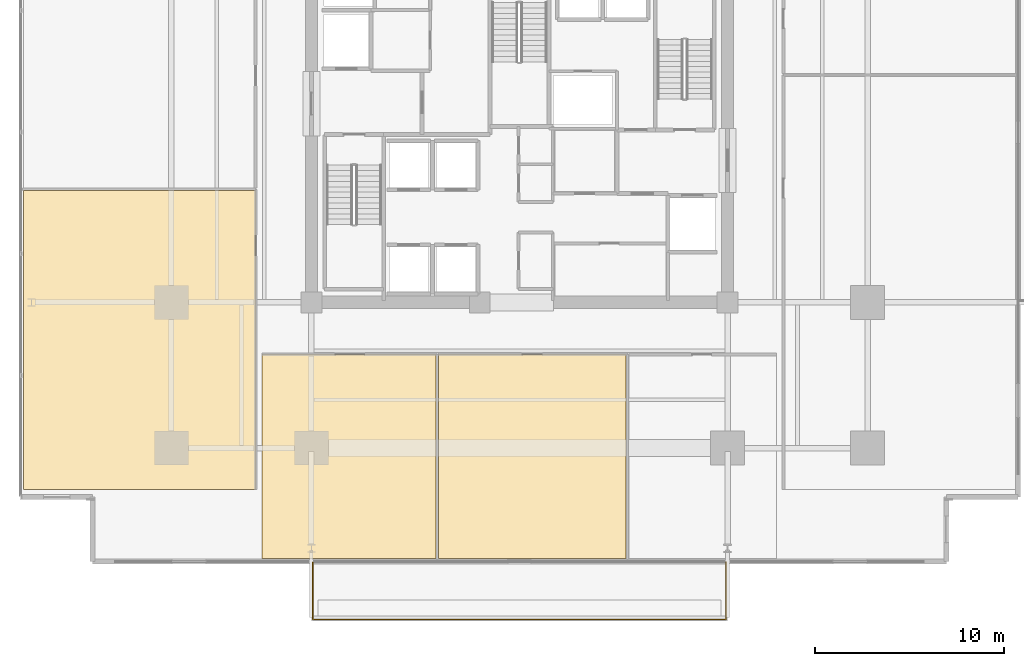
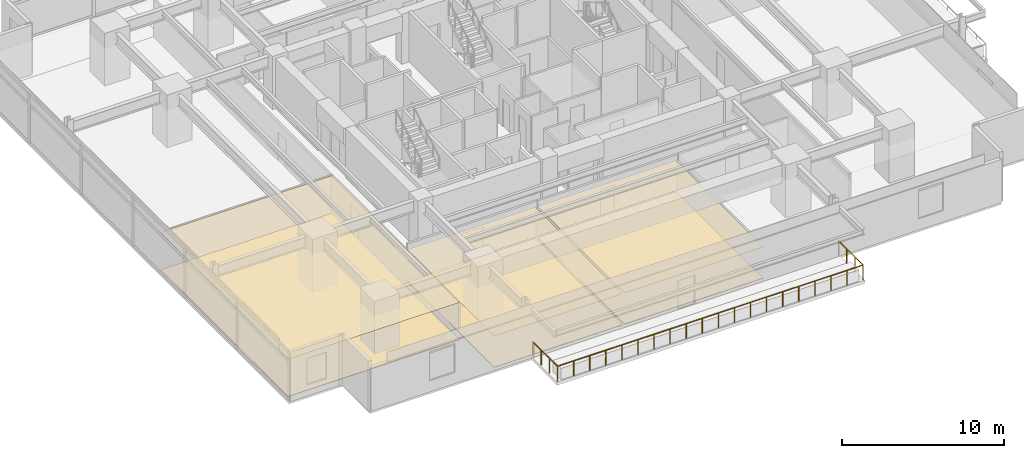
# One storey, part 19 of 23: 6 coverings, 1 railing.
"""IFC4 building model written with IfcOpenShell, lengths in metres."""

from ifc_helpers import new_model, si_unit, direction, frame, origin, origin_2d, place, context, subcontext, project, spatial, polyline, circle, outline, extrude, material, layer, layer_set, type_object, element, save


model = new_model("IFC4")

# Units and contexts
model_context = context("Model", 3, precision=1e-05, world=origin(), true_north=direction((0.0, 1.0)))
body_context = subcontext(model_context, "Body", "Model", "MODEL_VIEW")
ifc_project = project(units=[si_unit("LENGTHUNIT", "METRE"), si_unit("AREAUNIT", "SQUARE_METRE"), si_unit("VOLUMEUNIT", "CUBIC_METRE"), si_unit("PLANEANGLEUNIT", "RADIAN"), si_unit("MASSUNIT", "GRAM", prefix="KILO")], contexts=[model_context])

# Site, building, storey
site_placement = place(None, origin())
site = spatial("IfcSite", under=ifc_project, at=site_placement, CompositionType="ELEMENT")
building_placement = place(site_placement, origin())
building = spatial("IfcBuilding", under=site, at=building_placement, Name="Kovane Verandah Tower", CompositionType="ELEMENT")
storey_placement = place(building_placement, frame((0.0, 0.0, 91.60009765625)))
storey = spatial("IfcBuildingStorey", under=building, at=storey_placement, Name="L21", CompositionType="ELEMENT", Elevation=91.60009765625)

# Coverings
ifc_material_1 = material(Name="Perforated Acoustic Mineral-Fibre Ceiling Tile", Category="gypsum")
ifc_layer_1 = layer(ifc_material_1, 0.02490234375)
ifc_layer_set_1 = layer_set([ifc_layer_1], Name="Perforated Acoustic Mineral-Fibre Ceiling Tile")
covering_type_1 = type_object("IfcCoveringType", Name="CV-CEIL-25", PredefinedType="CEILING", material=ifc_layer_set_1)
covering_1_placement = place(storey_placement, frame((0.0, 0.0, 2.364990234375)))
element("IfcCovering", 1, at=covering_1_placement, inside=storey, type_object=covering_type_1, Name="L21 Client Boardroom S1 Acoustic Ceiling", PredefinedType="CEILING", context=body_context, shape_type="SweptSolid", body=[
    extrude(outline(polyline([(26.39990234375, 4.955078125), (35.577880859375, 4.955078125), (35.577880859375, 15.75), (26.39990234375, 15.75), (26.39990234375, 4.955078125)])), origin(), (0.0, 0.0, 1.0), 0.02490234375),
])
covering_2_placement = place(storey_placement, frame((0.0, 0.0, 2.364990234375)))
element("IfcCovering", 2, at=covering_2_placement, inside=storey, type_object=covering_type_1, Name="L21 Meeting Room S2 Acoustic Ceiling", PredefinedType="CEILING", context=body_context, shape_type="SweptSolid", body=[
    extrude(outline(polyline([(35.718017578125, 4.955078125), (45.64208984375, 4.955078125), (45.64208984375, 15.75), (35.718017578125, 15.75), (35.718017578125, 4.955078125)])), origin(), (0.0, 0.0, 1.0), 0.02490234375),
])
covering_3_placement = place(storey_placement, frame((0.0, 0.0, 2.824951171875)))
element("IfcCovering", 3, at=covering_3_placement, inside=storey, type_object=covering_type_1, Name="L21 Breakout Pantry W1 Acoustic Ceiling", PredefinedType="CEILING", context=body_context, shape_type="SweptSolid", body=[
    extrude(outline(polyline([(13.785888671875, 8.60498046875), (26.050048828125, 8.60498046875), (26.050048828125, 24.40673828125), (13.785888671875, 24.40673828125), (13.785888671875, 8.60498046875)])), origin(), (0.0, 0.0, 1.0), 0.02490234375),
])
ifc_material_2 = material(Name="Polished Terrazzo and Raised-Access Carpet Tile Finish", Category="concrete")
ifc_layer_2 = layer(ifc_material_2, 0.030029296875)
ifc_layer_set_2 = layer_set([ifc_layer_2], Name="Polished Terrazzo and Raised-Access Carpet Tile Finish")
covering_type_2 = type_object("IfcCoveringType", Name="CV-FLOR-30", PredefinedType="FLOORING", material=ifc_layer_set_2)
covering_4_placement = place(storey_placement, origin())
element("IfcCovering", 4, at=covering_4_placement, inside=storey, type_object=covering_type_2, Name="L21 Client Boardroom S1 Floor Finish", PredefinedType="FLOORING", context=body_context, shape_type="SweptSolid", body=[
    extrude(outline(polyline([(26.39990234375, 4.955078125), (35.577880859375, 4.955078125), (35.577880859375, 15.75), (26.39990234375, 15.75), (26.39990234375, 4.955078125)])), origin(), (0.0, 0.0, 1.0), 0.02978515625),
])
covering_5_placement = place(storey_placement, origin())
element("IfcCovering", 5, at=covering_5_placement, inside=storey, type_object=covering_type_2, Name="L21 Meeting Room S2 Floor Finish", PredefinedType="FLOORING", context=body_context, shape_type="SweptSolid", body=[
    extrude(outline(polyline([(35.718017578125, 4.955078125), (45.64208984375, 4.955078125), (45.64208984375, 15.75), (35.718017578125, 15.75), (35.718017578125, 4.955078125)])), origin(), (0.0, 0.0, 1.0), 0.02978515625),
])
covering_6_placement = place(storey_placement, origin())
element("IfcCovering", 6, at=covering_6_placement, inside=storey, type_object=covering_type_2, Name="L21 Breakout Pantry W1 Floor Finish", PredefinedType="FLOORING", context=body_context, shape_type="SweptSolid", body=[
    extrude(outline(polyline([(13.785888671875, 8.60498046875), (26.050048828125, 8.60498046875), (26.050048828125, 24.40673828125), (13.785888671875, 24.40673828125), (13.785888671875, 8.60498046875)])), origin(), (0.0, 0.0, 1.0), 0.02978515625),
])

# Railing
ifc_material_3 = material(Name="Laminated Glass and Pale-Champagne Stainless Balustrade", Category="glass")
railing_type = type_object("IfcRailingType", Name="RL-BAL-1150", PredefinedType="BALUSTRADE", material=ifc_material_3)
railing_placement = place(storey_placement, frame((29.080078125, 4.755126953125, 0.0)))
element("IfcRailing", 7, at=railing_placement, inside=storey, type_object=railing_type, Name="L21 S Verandah Glass Balustrade", PredefinedType="BALUSTRADE", context=body_context, shape_type="SweptSolid", body=[
    extrude(circle(Radius=0.02392578125, at=origin_2d()), frame((0.0, 0.0, 1.1259765625), z_axis=(0.0, -1.0, 0.0), x_axis=(1.0, 0.0, 0.0)), (0.0, 0.0, 1.0), 3.02001953125),
    extrude(circle(Radius=0.02392578125, at=origin_2d()), frame((0.0, -3.02001953125, 1.1259765625), z_axis=(1.0, 0.0, 0.0), x_axis=(0.0, 1.0, 0.0)), (0.0, 0.0, 1.0), 21.83984375),
    extrude(circle(Radius=0.02392578125, at=origin_2d()), frame((21.83984375, -3.02001953125, 1.1259765625), z_axis=(0.0, 1.0, 0.0), x_axis=(-1.0, 0.0, 0.0)), (0.0, 0.0, 1.0), 3.02001953125),
    extrude(circle(Radius=0.02099609375, at=origin_2d()), origin(), (0.0, 0.0, 1.0), 1.101806640625),
    extrude(circle(Radius=0.02099609375, at=origin_2d()), frame((0.0, -1.006591796875, 0.0)), (0.0, 0.0, 1.0), 1.101806640625),
    extrude(circle(Radius=0.02099609375, at=origin_2d()), frame((0.0, -2.013427734375, 0.0)), (0.0, 0.0, 1.0), 1.101806640625),
    extrude(circle(Radius=0.02099609375, at=origin_2d()), frame((0.0, -3.02001953125, 0.0)), (0.0, 0.0, 1.0), 1.101806640625),
    extrude(circle(Radius=0.02099609375, at=origin_2d()), frame((1.1494140625, -3.02001953125, 0.0)), (0.0, 0.0, 1.0), 1.101806640625),
    extrude(circle(Radius=0.02099609375, at=origin_2d()), frame((2.298828125, -3.02001953125, 0.0)), (0.0, 0.0, 1.0), 1.101806640625),
    extrude(circle(Radius=0.02099609375, at=origin_2d()), frame((3.448486328125, -3.02001953125, 0.0)), (0.0, 0.0, 1.0), 1.101806640625),
    extrude(circle(Radius=0.02099609375, at=origin_2d()), frame((4.597900390625, -3.02001953125, 0.0)), (0.0, 0.0, 1.0), 1.101806640625),
    extrude(circle(Radius=0.02099609375, at=origin_2d()), frame((5.747314453125, -3.02001953125, 0.0)), (0.0, 0.0, 1.0), 1.101806640625),
    extrude(circle(Radius=0.02099609375, at=origin_2d()), frame((6.896728515625, -3.02001953125, 0.0)), (0.0, 0.0, 1.0), 1.101806640625),
    extrude(circle(Radius=0.02099609375, at=origin_2d()), frame((8.046142578125, -3.02001953125, 0.0)), (0.0, 0.0, 1.0), 1.101806640625),
    extrude(circle(Radius=0.02099609375, at=origin_2d()), frame((9.19580078125, -3.02001953125, 0.0)), (0.0, 0.0, 1.0), 1.101806640625),
    extrude(circle(Radius=0.02099609375, at=origin_2d()), frame((10.34521484375, -3.02001953125, 0.0)), (0.0, 0.0, 1.0), 1.101806640625),
    extrude(circle(Radius=0.02099609375, at=origin_2d()), frame((11.49462890625, -3.02001953125, 0.0)), (0.0, 0.0, 1.0), 1.101806640625),
    extrude(circle(Radius=0.02099609375, at=origin_2d()), frame((12.64404296875, -3.02001953125, 0.0)), (0.0, 0.0, 1.0), 1.101806640625),
    extrude(circle(Radius=0.02099609375, at=origin_2d()), frame((13.793701171875, -3.02001953125, 0.0)), (0.0, 0.0, 1.0), 1.101806640625),
    extrude(circle(Radius=0.02099609375, at=origin_2d()), frame((14.943115234375, -3.02001953125, 0.0)), (0.0, 0.0, 1.0), 1.101806640625),
    extrude(circle(Radius=0.02099609375, at=origin_2d()), frame((16.092529296875, -3.02001953125, 0.0)), (0.0, 0.0, 1.0), 1.101806640625),
    extrude(circle(Radius=0.02099609375, at=origin_2d()), frame((17.241943359375, -3.02001953125, 0.0)), (0.0, 0.0, 1.0), 1.101806640625),
    extrude(circle(Radius=0.02099609375, at=origin_2d()), frame((18.391357421875, -3.02001953125, 0.0)), (0.0, 0.0, 1.0), 1.101806640625),
    extrude(circle(Radius=0.02099609375, at=origin_2d()), frame((19.541015625, -3.02001953125, 0.0)), (0.0, 0.0, 1.0), 1.101806640625),
    extrude(circle(Radius=0.02099609375, at=origin_2d()), frame((20.6904296875, -3.02001953125, 0.0)), (0.0, 0.0, 1.0), 1.101806640625),
    extrude(circle(Radius=0.02099609375, at=origin_2d()), frame((21.83984375, -3.02001953125, 0.0)), (0.0, 0.0, 1.0), 1.101806640625),
    extrude(circle(Radius=0.02099609375, at=origin_2d()), frame((21.83984375, -2.013427734375, 0.0)), (0.0, 0.0, 1.0), 1.101806640625),
    extrude(circle(Radius=0.02099609375, at=origin_2d()), frame((21.83984375, -1.006591796875, 0.0)), (0.0, 0.0, 1.0), 1.101806640625),
    extrude(circle(Radius=0.02099609375, at=origin_2d()), frame((21.83984375, 0.0, 0.0)), (0.0, 0.0, 1.0), 1.101806640625),
])

save(model, "model.ifc")
